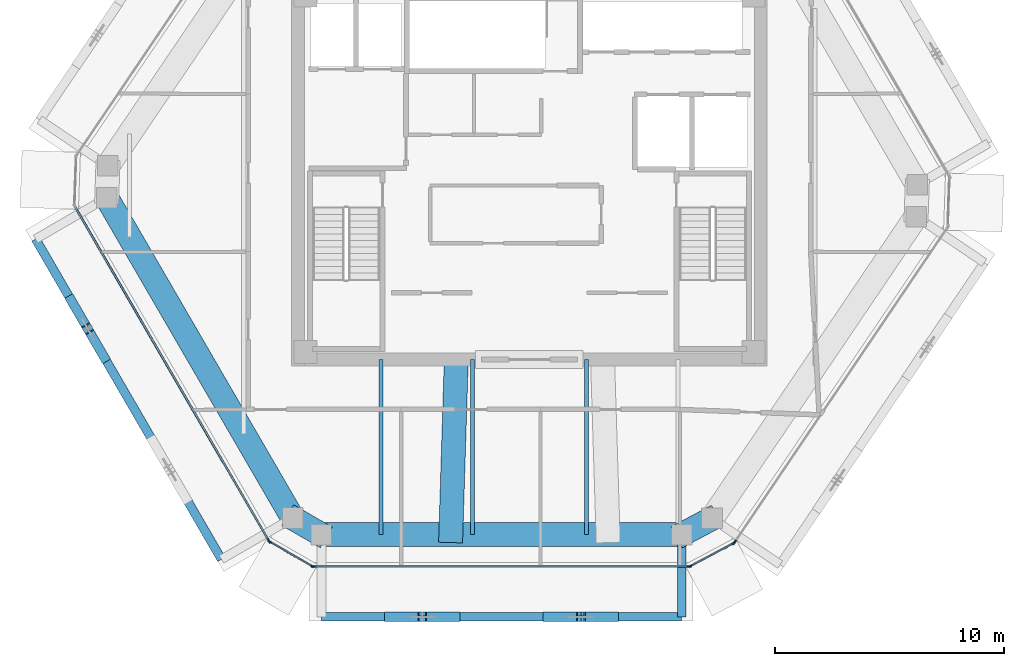
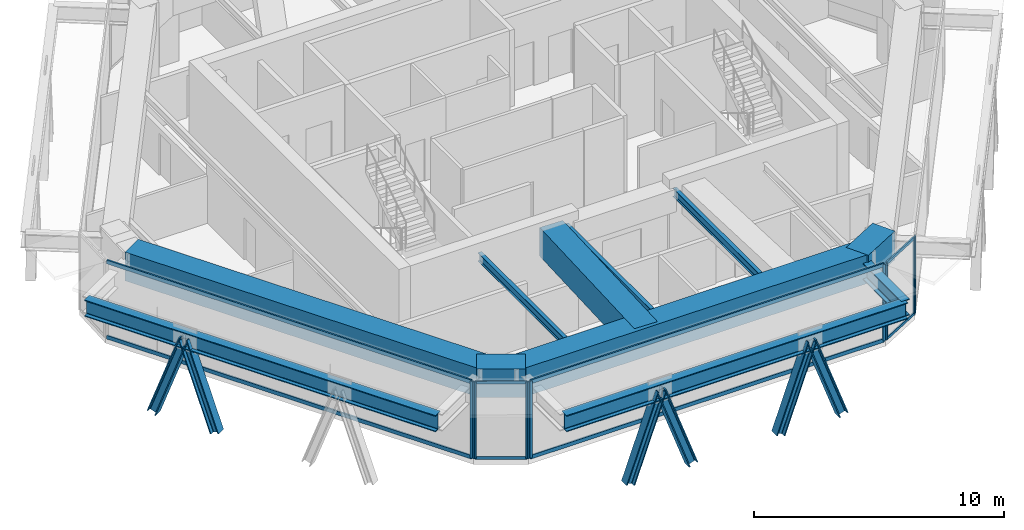
# One storey, part 2 of 13: 22 members, 11 beams, 5 elements without a shape of their own.
"""IFC4 building model written with IfcOpenShell, lengths in metres."""

from ifc_helpers import new_model, si_unit, direction, frame, origin, origin_2d, place, context, subcontext, project, spatial, rectangle, i_section, extrude, source, transform, mapped, material, layer, layer_set, material_profile, profile_set, type_object, type_shapes, element, aggregate, save


model = new_model("IFC4")

# Units and contexts
model_context = context("Model", 3, precision=1e-05, world=origin(), true_north=direction((0.0, 1.0)))
body_context = subcontext(model_context, "Body", "Model", "MODEL_VIEW")
ifc_project = project(units=[si_unit("LENGTHUNIT", "METRE"), si_unit("AREAUNIT", "SQUARE_METRE"), si_unit("VOLUMEUNIT", "CUBIC_METRE"), si_unit("PLANEANGLEUNIT", "RADIAN"), si_unit("MASSUNIT", "GRAM", prefix="KILO")], contexts=[model_context])

# Site, building, storey
site_placement = place(None, origin())
site = spatial("IfcSite", under=ifc_project, at=site_placement, CompositionType="ELEMENT")
building_placement = place(site_placement, origin())
building = spatial("IfcBuilding", under=site, at=building_placement, Name="Durnholm Broadcast Tower", CompositionType="ELEMENT")
storey_placement = place(building_placement, frame((0.0, 0.0, 268.300048828125)))
storey = spatial("IfcBuildingStorey", under=building, at=storey_placement, Name="L75", CompositionType="ELEMENT", Elevation=268.300048828125)

# Beams
ifc_material_1 = material(Name="Steel ASTM A992 Grade 50", Category="steel")
ifc_material_profile_1 = material_profile(ifc_material_1, i_section(OverallWidth=0.385009765625, OverallDepth=0.802978515625, WebThickness=0.023681640625, FlangeThickness=0.0419921875, FilletRadius=0.032958984375, at=origin_2d()), Name="W30X261")
ifc_profile_set_1 = profile_set([ifc_material_profile_1], Name="Steel ASTM A992 Grade 50")
beam_type_1 = type_object("IfcBeamType", Name="BM-EXO-TIE", PredefinedType="USERDEFINED", material=ifc_profile_set_1)
shared_shape_1 = source(origin(), body_context, "Body", "SweptSolid", [
    extrude(i_section(OverallWidth=0.385009765625, OverallDepth=0.802978515625, WebThickness=0.023681640625, FlangeThickness=0.0419921875, FilletRadius=0.032958984375, at=origin_2d()), origin(), (0.0, 0.0, 1.0), 3.4560546875),
])
beam_1_placement = place(storey_placement, frame((6.663818359375, -15.929931640625, 2.99853515625), z_axis=(0.0, -1.0, 0.0), x_axis=(1.0, 0.0, 0.0)))
element("IfcBeam", 1, at=beam_1_placement, inside=storey, type_object=beam_type_1, Name="L75 exoskeleton stand-off tie bracket F1.2", ObjectType="GIRDER", PredefinedType="USERDEFINED", context=body_context, shape_type="MappedRepresentation", body=[
    mapped(shared_shape_1, transform((0.0, 0.0, 0.0), x_axis=(1.0, 0.0, 0.0), y_axis=(0.0, 1.0, 0.0), z_axis=(0.0, 0.0, 1.0), scale=1.0)),
])
shared_shape_2 = source(origin(), body_context, "Body", "SweptSolid", [
    extrude(i_section(OverallWidth=0.385009765625, OverallDepth=0.802978515625, WebThickness=0.023681640625, FlangeThickness=0.0419921875, FilletRadius=0.032958984375, at=origin_2d()), origin(), (0.0, 0.0, 1.0), 15.767578125),
])
beam_2_placement = place(storey_placement, frame((-9.103759765625, -19.385986328125, 2.99853515625), z_axis=(1.0, 0.0, 0.0), x_axis=(0.0, 1.0, 0.0)))
element("IfcBeam", 2, at=beam_2_placement, inside=storey, type_object=beam_type_1, Name="L75 exoskeleton collector spandrel F1", PredefinedType="SPANDREL", context=body_context, shape_type="MappedRepresentation", body=[
    mapped(shared_shape_2, transform((0.0, 0.0, 0.0), x_axis=(1.0, 0.0, 0.0), y_axis=(0.0, 1.0, 0.0), z_axis=(0.0, 0.0, 1.0), scale=1.0)),
])
shared_shape_3 = source(origin(), body_context, "Body", "SweptSolid", [
    extrude(i_section(OverallWidth=0.385009765625, OverallDepth=0.802978515625, WebThickness=0.023681640625, FlangeThickness=0.0419921875, FilletRadius=0.032958984375, at=origin_2d()), origin(), (0.0, 0.0, 1.0), 16.20263671875),
])
type_shapes(beam_type_1, [shared_shape_1, shared_shape_2, shared_shape_3])
beam_3_placement = place(storey_placement, frame((-21.60791015625, -2.85498046875, 2.99853515625), z_axis=(0.501943573333, -0.864900369516, 0.0), x_axis=(0.864900369516, 0.501943573333, 0.0)))
element("IfcBeam", 3, at=beam_3_placement, inside=storey, type_object=beam_type_1, Name="L75 exoskeleton collector spandrel F6", PredefinedType="SPANDREL", context=body_context, shape_type="MappedRepresentation", body=[
    mapped(shared_shape_3, transform((0.0, 0.0, 0.0), x_axis=(1.0, 0.0, 0.0), y_axis=(0.0, 1.0, 0.0), z_axis=(0.0, 0.0, 1.0), scale=1.0)),
])
ifc_material_profile_2 = material_profile(ifc_material_1, i_section(OverallWidth=0.177734375, OverallDepth=0.40673828125, WebThickness=0.0078125, FlangeThickness=0.0126953125, FilletRadius=0.01904296875, at=origin_2d()), Name="W16X40")
ifc_profile_set_2 = profile_set([ifc_material_profile_2], Name="Steel ASTM A992 Grade 50")
beam_type_2 = type_object("IfcBeamType", Name="STL-BJ-W16X40", PredefinedType="JOIST", material=ifc_profile_set_2)
shared_shape_4 = source(origin(), body_context, "Body", "SweptSolid", [
    extrude(i_section(OverallWidth=0.177734375, OverallDepth=0.40673828125, WebThickness=0.0078125, FlangeThickness=0.0126953125, FilletRadius=0.01904296875, at=origin_2d()), origin(), (0.0, 0.0, 1.0), 7.660888671875),
])
type_shapes(beam_type_2, [shared_shape_4])
for number, where, z_axis, x_axis, name in (
    (4, (-6.5, -15.785888671875, 3.32666015625), (0.0, 1.0, 0.0), (-1.0, 0.0, 0.0), "L75 secondary floor joist 4.1"),
    (5, (-2.5, -15.785888671875, 3.32666015625), (0.0, 1.0, 0.0), (-1.0, 0.0, 0.0), "L75 secondary floor joist 5.1"),
    (6, (2.5, -15.785888671875, 3.32666015625), (0.0, 1.0, 0.0), (-1.0, 0.0, 0.0), "L75 secondary floor joist 6.1"),
):
    element("IfcBeam", number, at=place(storey_placement, frame(where, z_axis=z_axis, x_axis=x_axis)), inside=storey, type_object=beam_type_2, Name=name, PredefinedType="JOIST", context=body_context, shape_type="MappedRepresentation", body=[
        mapped(shared_shape_4, transform((0.0, 0.0, 0.0), x_axis=(1.0, 0.0, 0.0), y_axis=(0.0, 1.0, 0.0), z_axis=(0.0, 0.0, 1.0), scale=1.0)),
    ])
ifc_material_2 = material(Name="Concrete C70/85", Category="concrete")
ifc_material_profile_3 = material_profile(ifc_material_2, rectangle(XDim=1.050048828125, YDim=1.39990234375, at=origin_2d()), Name="RC1050X1400")
ifc_profile_set_3 = profile_set([ifc_material_profile_3], Name="Concrete C70/85")
beam_type_3 = type_object("IfcBeamType", Name="BM-TG-RC1400", PredefinedType="USERDEFINED", material=ifc_profile_set_3)
shared_shape_5 = source(origin(), body_context, "Body", "SweptSolid", [
    extrude(rectangle(XDim=1.050048828125, YDim=1.39990234375, at=origin_2d()), origin(), (0.0, 0.0, 1.0), 16.202880859375),
])
beam_4_placement = place(storey_placement, frame((-10.361328125, -15.061767578125, 3.050048828125), z_axis=(-0.501948303381, 0.864897624423, 0.0), x_axis=(-0.864897624423, -0.501948303381, 0.0)))
element("IfcBeam", 7, at=beam_4_placement, inside=storey, type_object=beam_type_3, Name="L75 perimeter transfer spandrel girder 01", PredefinedType="SPANDREL", context=body_context, shape_type="MappedRepresentation", body=[
    mapped(shared_shape_5, transform((0.0, 0.0, 0.0), x_axis=(1.0, 0.0, 0.0), y_axis=(0.0, 1.0, 0.0), z_axis=(0.0, 0.0, 1.0), scale=1.0)),
])
shared_shape_6 = source(origin(), body_context, "Body", "SweptSolid", [
    extrude(rectangle(XDim=1.050048828125, YDim=1.39990234375, at=origin_2d()), origin(), (0.0, 0.0, 1.0), 2.002685546875),
])
beam_5_placement = place(storey_placement, frame((8.211669921875, -14.964111328125, 3.050048828125), z_axis=(-0.883211981861, -0.468973981259, 0.0), x_axis=(0.468973981259, -0.883211981861, 0.0)))
element("IfcBeam", 8, at=beam_5_placement, inside=storey, type_object=beam_type_3, Name="L75 perimeter transfer spandrel girder 10", PredefinedType="SPANDREL", context=body_context, shape_type="MappedRepresentation", body=[
    mapped(shared_shape_6, transform((0.0, 0.0, 0.0), x_axis=(1.0, 0.0, 0.0), y_axis=(0.0, 1.0, 0.0), z_axis=(0.0, 0.0, 1.0), scale=1.0)),
])
shared_shape_7 = source(origin(), body_context, "Body", "SweptSolid", [
    extrude(rectangle(XDim=1.050048828125, YDim=1.39990234375, at=origin_2d()), origin(), (0.0, 0.0, 1.0), 15.767578125),
])
beam_6_placement = place(storey_placement, frame((6.663818359375, -15.785888671875, 3.050048828125), z_axis=(-1.0, 0.0, 0.0), x_axis=(0.0, -1.0, 0.0)))
element("IfcBeam", 9, at=beam_6_placement, inside=storey, type_object=beam_type_3, Name="L75 perimeter transfer spandrel girder 11", PredefinedType="SPANDREL", context=body_context, shape_type="MappedRepresentation", body=[
    mapped(shared_shape_7, transform((0.0, 0.0, 0.0), x_axis=(1.0, 0.0, 0.0), y_axis=(0.0, 1.0, 0.0), z_axis=(0.0, 0.0, 1.0), scale=1.0)),
])
shared_shape_8 = source(origin(), body_context, "Body", "SweptSolid", [
    extrude(rectangle(XDim=1.050048828125, YDim=1.39990234375, at=origin_2d()), origin(), (0.0, 0.0, 1.0), 1.951171875),
])
beam_7_placement = place(storey_placement, frame((-8.88720703125, -15.910888671875, 3.050048828125), z_axis=(-0.866520782074, 0.499140996346, 0.0), x_axis=(-0.499140996346, -0.866520782074, 0.0)))
element("IfcBeam", 10, at=beam_7_placement, inside=storey, type_object=beam_type_3, Name="L75 perimeter transfer spandrel girder 12", PredefinedType="SPANDREL", context=body_context, shape_type="MappedRepresentation", body=[
    mapped(shared_shape_8, transform((0.0, 0.0, 0.0), x_axis=(1.0, 0.0, 0.0), y_axis=(0.0, 1.0, 0.0), z_axis=(0.0, 0.0, 1.0), scale=1.0)),
])
shared_shape_9 = source(origin(), body_context, "Body", "SweptSolid", [
    extrude(rectangle(XDim=1.050048828125, YDim=1.39990234375, at=origin_2d()), origin(), (0.0, 0.0, 1.0), 8.014892578125),
])
type_shapes(beam_type_3, [shared_shape_5, shared_shape_6, shared_shape_7, shared_shape_8, shared_shape_9])
beam_8_placement = place(storey_placement, frame((-3.199951171875, -8.125, 3.050048828125), z_axis=(-0.031191958504, -0.999513412479, 0.0), x_axis=(0.999513412479, -0.031191958504, 0.0)))
element("IfcBeam", 11, at=beam_8_placement, inside=storey, type_object=beam_type_3, Name="L75 radial setback transfer girder 13", ObjectType="GIRDER", PredefinedType="USERDEFINED", context=body_context, shape_type="MappedRepresentation", body=[
    mapped(shared_shape_9, transform((0.0, 0.0, 0.0), x_axis=(1.0, 0.0, 0.0), y_axis=(0.0, 1.0, 0.0), z_axis=(0.0, 0.0, 1.0), scale=1.0)),
])

# Members
ifc_material_3 = material(Name="Steel ASTM A913 Grade 65", Category="steel")
ifc_material_profile_4 = material_profile(ifc_material_3, i_section(OverallWidth=0.40625, OverallDepth=0.416015625, WebThickness=0.02978515625, FlangeThickness=0.048095703125, FilletRadius=0.030517578125, at=origin_2d()), Name="W14X257")
ifc_profile_set_4 = profile_set([ifc_material_profile_4], Name="Steel ASTM A913 Grade 65")
member_type_1 = type_object("IfcMemberType", Name="STL-DG-W14X257", PredefinedType="BRACE", material=ifc_profile_set_4)
shared_shape_10 = source(origin(), body_context, "Body", "SweptSolid", [
    extrude(i_section(OverallWidth=0.40625, OverallDepth=0.416015625, WebThickness=0.02978515625, FlangeThickness=0.048095703125, FilletRadius=0.030517578125, at=origin_2d()), origin(), (0.0, 0.0, 1.0), 4.3046875),
])
for number, where, z_axis, x_axis, name in (
    (12, (-6.14697265625, -19.385986328125, -1.051513671875), (0.338767668822, 0.0, 0.940870058276), (0.0, 1.0, 0.0), "L75 stand-off diagrid brace F1.D1.1"),
    (13, (0.79052734375, -19.385986328125, -1.051513671875), (0.338767668822, 0.0, 0.940870058276), (0.0, 1.0, 0.0), "L75 stand-off diagrid brace F1.D2.1"),
    (14, (3.70703125, -19.385986328125, -1.051513671875), (-0.338767668822, 0.0, 0.940870058276), (0.0, -1.0, 0.0), "L75 stand-off diagrid brace F1.D2.2"),
    (15, (-18.5986328125, -8.0400390625, -1.051513671875), (-0.170091469891, 0.292995176211, 0.940862752258), (-0.864833498681, -0.50205878098, 0.0), "L75 stand-off diagrid brace F6.D1.2"),
):
    element("IfcMember", number, at=place(storey_placement, frame(where, z_axis=z_axis, x_axis=x_axis)), inside=storey, type_object=member_type_1, Name=name, PredefinedType="BRACE", context=body_context, shape_type="MappedRepresentation", body=[
        mapped(shared_shape_10, transform((0.0, 0.0, 0.0), x_axis=(1.0, 0.0, 0.0), y_axis=(0.0, 1.0, 0.0), z_axis=(0.0, 0.0, 1.0), scale=1.0)),
    ])
shared_shape_11 = source(origin(), body_context, "Body", "SweptSolid", [
    extrude(i_section(OverallWidth=0.40625, OverallDepth=0.416015625, WebThickness=0.02978515625, FlangeThickness=0.048095703125, FilletRadius=0.030517578125, at=origin_2d()), origin(), (0.0, 0.0, 1.0), 4.304443359375),
])
type_shapes(member_type_1, [shared_shape_10, shared_shape_11])
for number, where, z_axis, x_axis, name in (
    (16, (-3.230712890625, -19.385986328125, -1.051513671875), (-0.338717459859, 0.0, 0.940888134895), (0.0, -1.0, 0.0), "L75 stand-off diagrid brace F1.D1.2"),
    (17, (-20.0625, -5.517578125, -1.051513671875), (0.169981316297, -0.293000827491, 0.940880899583), (0.864978863669, 0.501808295473, 0.0), "L75 stand-off diagrid brace F6.D1.1"),
):
    element("IfcMember", number, at=place(storey_placement, frame(where, z_axis=z_axis, x_axis=x_axis)), inside=storey, type_object=member_type_1, Name=name, PredefinedType="BRACE", context=body_context, shape_type="MappedRepresentation", body=[
        mapped(shared_shape_11, transform((0.0, 0.0, 0.0), x_axis=(1.0, 0.0, 0.0), y_axis=(0.0, 1.0, 0.0), z_axis=(0.0, 0.0, 1.0), scale=1.0)),
    ])

# Curtain wall, members
ifc_material_4 = material(Name="Aluminium and Solar Control IGU", Category="aluminium")
ifc_layer_1 = layer(ifc_material_4, 0.1650390625)
ifc_layer_set_1 = layer_set([ifc_layer_1], Name="Aluminium and Solar Control IGU")
curtain_wall_type_1 = type_object("IfcCurtainWallType", Name="CW-SYS-5", PredefinedType="NOTDEFINED", material=ifc_layer_set_1)
curtain_wall_1_placement = place(storey_placement, origin())
curtain_wall_1 = element("IfcCurtainWall", 18, at=curtain_wall_1_placement, inside=storey, type_object=curtain_wall_type_1, Name="L75 curtain wall CW-CORNER CW-L75-CRN-09", PredefinedType="NOTDEFINED")
ifc_material_5 = material(Name="Aluminium 6063-T6", Category="aluminium")
ifc_material_profile_5 = material_profile(ifc_material_5, rectangle(XDim=0.06494140625, YDim=0.1298828125, at=origin_2d()), Name="CWT65X130")
ifc_profile_set_5 = profile_set([ifc_material_profile_5], Name="Aluminium 6063-T6")
member_type_2 = type_object("IfcMemberType", Name="CW-SYS-5-TRN", PredefinedType="USERDEFINED", material=ifc_profile_set_5)
shared_shape_12 = source(origin(), body_context, "Body", "SweptSolid", [
    extrude(rectangle(XDim=0.06494140625, YDim=0.1298828125, at=origin_2d()), origin(), (0.0, 0.0, 1.0), 2.070068359375),
])
member_1_placement = place(storey_placement, frame((8.89794921875, -16.1845703125, 0.032470703125), z_axis=(-0.883164581026, -0.469063239682, 0.0), x_axis=(0.469063239682, -0.883164581026, 0.0)))
member_1 = element("IfcMember", 19, at=member_1_placement, type_object=member_type_2, Name="CW-CORNER transom 1.1", ObjectType="TRANSOM", PredefinedType="USERDEFINED", context=body_context, shape_type="MappedRepresentation", body=[
    mapped(shared_shape_12, transform((0.0, 0.0, 0.0), x_axis=(1.0, 0.0, 0.0), y_axis=(0.0, 1.0, 0.0), z_axis=(0.0, 0.0, 1.0), scale=1.0)),
])
member_2_placement = place(storey_placement, frame((8.89794921875, -16.1845703125, 3.717529296875), z_axis=(-0.883164581026, -0.469063239682, 0.0), x_axis=(0.469063239682, -0.883164581026, 0.0)))
member_2 = element("IfcMember", 20, at=member_2_placement, type_object=member_type_2, Name="CW-CORNER transom 1.2", ObjectType="TRANSOM", PredefinedType="USERDEFINED", context=body_context, shape_type="MappedRepresentation", body=[
    mapped(shared_shape_12, transform((0.0, 0.0, 0.0), x_axis=(1.0, 0.0, 0.0), y_axis=(0.0, 1.0, 0.0), z_axis=(0.0, 0.0, 1.0), scale=1.0)),
])

curtain_wall_2_placement = place(storey_placement, origin())
curtain_wall_2 = element("IfcCurtainWall", 21, at=curtain_wall_2_placement, inside=storey, type_object=curtain_wall_type_1, Name="L75 curtain wall CW-CORNER CW-L75-CRN-11", PredefinedType="NOTDEFINED")
shared_shape_13 = source(origin(), body_context, "Body", "SweptSolid", [
    extrude(rectangle(XDim=0.06494140625, YDim=0.1298828125, at=origin_2d()), origin(), (0.0, 0.0, 1.0), 2.06982421875),
])
type_shapes(member_type_2, [shared_shape_12, shared_shape_13])
member_3_placement = place(storey_placement, frame((-9.534423828125, -17.153564453125, 0.032470703125), z_axis=(-0.866576086718, 0.499044973854, 0.0), x_axis=(-0.499044973854, -0.866576086718, 0.0)))
member_3 = element("IfcMember", 22, at=member_3_placement, type_object=member_type_2, Name="CW-CORNER transom 1.1", ObjectType="TRANSOM", PredefinedType="USERDEFINED", context=body_context, shape_type="MappedRepresentation", body=[
    mapped(shared_shape_13, transform((0.0, 0.0, 0.0), x_axis=(1.0, 0.0, 0.0), y_axis=(0.0, 1.0, 0.0), z_axis=(0.0, 0.0, 1.0), scale=1.0)),
])
member_4_placement = place(storey_placement, frame((-9.534423828125, -17.153564453125, 3.717529296875), z_axis=(-0.866576086718, 0.499044973854, 0.0), x_axis=(-0.499044973854, -0.866576086718, 0.0)))
member_4 = element("IfcMember", 23, at=member_4_placement, type_object=member_type_2, Name="CW-CORNER transom 1.2", ObjectType="TRANSOM", PredefinedType="USERDEFINED", context=body_context, shape_type="MappedRepresentation", body=[
    mapped(shared_shape_13, transform((0.0, 0.0, 0.0), x_axis=(1.0, 0.0, 0.0), y_axis=(0.0, 1.0, 0.0), z_axis=(0.0, 0.0, 1.0), scale=1.0)),
])

# Member
ifc_material_profile_6 = material_profile(ifc_material_5, rectangle(XDim=0.06494140625, YDim=0.1650390625, at=origin_2d()), Name="CWM65X165")
ifc_profile_set_6 = profile_set([ifc_material_profile_6], Name="Aluminium 6063-T6")
member_type_3 = type_object("IfcMemberType", Name="CW-SYS-5-MUL", PredefinedType="MULLION", material=ifc_profile_set_6)
shared_shape_14 = source(origin(), body_context, "Body", "SweptSolid", [
    extrude(rectangle(XDim=0.06494140625, YDim=0.1650390625, at=origin_2d()), origin(), (0.0, 0.0, 1.0), 3.75),
])
type_shapes(member_type_3, [shared_shape_14])
member_5_placement = place(storey_placement, frame((8.9267578125, -16.16943359375, 0.0), z_axis=(0.0, 0.0, 1.0), x_axis=(0.469006771575, -0.883194569853, 0.0)))
member_5 = element("IfcMember", 24, at=member_5_placement, type_object=member_type_3, Name="CW-CORNER mullion 1", PredefinedType="MULLION", context=body_context, shape_type="MappedRepresentation", body=[
    mapped(shared_shape_14, transform((0.0, 0.0, 0.0), x_axis=(1.0, 0.0, 0.0), y_axis=(0.0, 1.0, 0.0), z_axis=(0.0, 0.0, 1.0), scale=1.0)),
])

member_6_placement = place(storey_placement, frame((7.041015625, -17.170654296875, 0.0), z_axis=(0.0, 0.0, 1.0), x_axis=(0.469006771575, -0.883194569853, 0.0)))
member_6 = element("IfcMember", 25, at=member_6_placement, type_object=member_type_3, Name="CW-CORNER mullion 2", PredefinedType="MULLION", context=body_context, shape_type="MappedRepresentation", body=[
    mapped(shared_shape_14, transform((0.0, 0.0, 0.0), x_axis=(1.0, 0.0, 0.0), y_axis=(0.0, 1.0, 0.0), z_axis=(0.0, 0.0, 1.0), scale=1.0)),
])

aggregate(curtain_wall_1, [member_5, member_6, member_1, member_2])

member_7_placement = place(storey_placement, frame((-9.506103515625, -17.169677734375, 0.0), z_axis=(0.0, 0.0, 1.0), x_axis=(-0.499058582333, -0.866568249707, 0.0)))
member_7 = element("IfcMember", 26, at=member_7_placement, type_object=member_type_3, Name="CW-CORNER mullion 1", PredefinedType="MULLION", context=body_context, shape_type="MappedRepresentation", body=[
    mapped(shared_shape_14, transform((0.0, 0.0, 0.0), x_axis=(1.0, 0.0, 0.0), y_axis=(0.0, 1.0, 0.0), z_axis=(0.0, 0.0, 1.0), scale=1.0)),
])

member_8_placement = place(storey_placement, frame((-11.356201171875, -16.104248046875, 0.0), z_axis=(0.0, 0.0, 1.0), x_axis=(-0.499058582333, -0.866568249707, 0.0)))
member_8 = element("IfcMember", 27, at=member_8_placement, type_object=member_type_3, Name="CW-CORNER mullion 2", PredefinedType="MULLION", context=body_context, shape_type="MappedRepresentation", body=[
    mapped(shared_shape_14, transform((0.0, 0.0, 0.0), x_axis=(1.0, 0.0, 0.0), y_axis=(0.0, 1.0, 0.0), z_axis=(0.0, 0.0, 1.0), scale=1.0)),
])

aggregate(curtain_wall_2, [member_7, member_8, member_3, member_4])

# Curtain wall, member
ifc_layer_2 = layer(ifc_material_4, 0.219970703125)
ifc_layer_set_2 = layer_set([ifc_layer_2], Name="Aluminium and Solar Control IGU")
curtain_wall_type_2 = type_object("IfcCurtainWallType", Name="CW-SYS-6", PredefinedType="NOTDEFINED", material=ifc_layer_set_2)
curtain_wall_3_placement = place(storey_placement, origin())
curtain_wall_3 = element("IfcCurtainWall", 28, at=curtain_wall_3_placement, inside=storey, type_object=curtain_wall_type_2, Name="L75 curtain wall CW-AMENITY CW-L75-F08", PredefinedType="NOTDEFINED")
ifc_material_profile_7 = material_profile(ifc_material_5, rectangle(XDim=0.074951171875, YDim=0.219970703125, at=origin_2d()), Name="CWM75X220")
ifc_profile_set_7 = profile_set([ifc_material_profile_7], Name="Aluminium 6063-T6")
member_type_4 = type_object("IfcMemberType", Name="CW-SYS-6-MUL", PredefinedType="MULLION", material=ifc_profile_set_7)
shared_shape_15 = source(origin(), body_context, "Body", "SweptSolid", [
    extrude(rectangle(XDim=0.074951171875, YDim=0.219970703125, at=origin_2d()), origin(), (0.0, 0.0, 1.0), 3.75),
])
type_shapes(member_type_4, [shared_shape_15])
member_9_placement = place(storey_placement, frame((8.976318359375, -16.123046875, 0.0), z_axis=(0.0, 0.0, 1.0), x_axis=(0.828443431662, -0.560072745753, 0.0)))
member_9 = element("IfcMember", 29, at=member_9_placement, type_object=member_type_4, Name="CW-AMENITY mullion 2", PredefinedType="MULLION", context=body_context, shape_type="MappedRepresentation", body=[
    mapped(shared_shape_15, transform((0.0, 0.0, 0.0), x_axis=(1.0, 0.0, 0.0), y_axis=(0.0, 1.0, 0.0), z_axis=(0.0, 0.0, 1.0), scale=1.0)),
])
aggregate(curtain_wall_3, [member_9])

# Curtain wall, members
curtain_wall_4_placement = place(storey_placement, origin())
curtain_wall_4 = element("IfcCurtainWall", 30, at=curtain_wall_4_placement, inside=storey, type_object=curtain_wall_type_2, Name="L75 curtain wall CW-AMENITY CW-L75-F10", PredefinedType="NOTDEFINED")
member_10_placement = place(storey_placement, frame((6.974853515625, -17.18603515625, 0.0), z_axis=(0.0, 0.0, 1.0), x_axis=(0.0, -1.0, 0.0)))
member_10 = element("IfcMember", 31, at=member_10_placement, type_object=member_type_4, Name="CW-AMENITY mullion 1", PredefinedType="MULLION", context=body_context, shape_type="MappedRepresentation", body=[
    mapped(shared_shape_15, transform((0.0, 0.0, 0.0), x_axis=(1.0, 0.0, 0.0), y_axis=(0.0, 1.0, 0.0), z_axis=(0.0, 0.0, 1.0), scale=1.0)),
])
member_11_placement = place(storey_placement, frame((-9.4404296875, -17.18603515625, 0.0), z_axis=(0.0, 0.0, 1.0), x_axis=(0.0, -1.0, 0.0)))
member_11 = element("IfcMember", 32, at=member_11_placement, type_object=member_type_4, Name="CW-AMENITY mullion 2", PredefinedType="MULLION", context=body_context, shape_type="MappedRepresentation", body=[
    mapped(shared_shape_15, transform((0.0, 0.0, 0.0), x_axis=(1.0, 0.0, 0.0), y_axis=(0.0, 1.0, 0.0), z_axis=(0.0, 0.0, 1.0), scale=1.0)),
])

# Curtain wall, member
curtain_wall_5_placement = place(storey_placement, origin())
curtain_wall_5 = element("IfcCurtainWall", 33, at=curtain_wall_5_placement, inside=storey, type_object=curtain_wall_type_2, Name="L75 curtain wall CW-AMENITY CW-L75-F12", PredefinedType="NOTDEFINED")
member_12_placement = place(storey_placement, frame((-11.4033203125, -16.0556640625, 0.0), z_axis=(0.0, 0.0, 1.0), x_axis=(-0.864899883824, -0.50194441023, 0.0)))
member_12 = element("IfcMember", 34, at=member_12_placement, type_object=member_type_4, Name="CW-AMENITY mullion 1", PredefinedType="MULLION", context=body_context, shape_type="MappedRepresentation", body=[
    mapped(shared_shape_15, transform((0.0, 0.0, 0.0), x_axis=(1.0, 0.0, 0.0), y_axis=(0.0, 1.0, 0.0), z_axis=(0.0, 0.0, 1.0), scale=1.0)),
])

# Member
ifc_material_profile_8 = material_profile(ifc_material_5, rectangle(XDim=0.074951171875, YDim=0.179931640625, at=origin_2d()), Name="CWT75X180")
ifc_profile_set_8 = profile_set([ifc_material_profile_8], Name="Aluminium 6063-T6")
member_type_5 = type_object("IfcMemberType", Name="CW-SYS-6-TRN", PredefinedType="USERDEFINED", material=ifc_profile_set_8)
shared_shape_16 = source(origin(), body_context, "Body", "SweptSolid", [
    extrude(rectangle(XDim=0.074951171875, YDim=0.179931640625, at=origin_2d()), origin(), (0.0, 0.0, 1.0), 16.340576171875),
])
member_13_placement = place(storey_placement, frame((6.9375, -17.18603515625, 0.037353515625), z_axis=(-1.0, 0.0, 0.0), x_axis=(0.0, -1.0, 0.0)))
member_13 = element("IfcMember", 35, at=member_13_placement, type_object=member_type_5, Name="CW-AMENITY transom 1.1", ObjectType="TRANSOM", PredefinedType="USERDEFINED", context=body_context, shape_type="MappedRepresentation", body=[
    mapped(shared_shape_16, transform((0.0, 0.0, 0.0), x_axis=(1.0, 0.0, 0.0), y_axis=(0.0, 1.0, 0.0), z_axis=(0.0, 0.0, 1.0), scale=1.0)),
])

member_14_placement = place(storey_placement, frame((6.9375, -17.18603515625, 3.71240234375), z_axis=(-1.0, 0.0, 0.0), x_axis=(0.0, -1.0, 0.0)))
member_14 = element("IfcMember", 36, at=member_14_placement, type_object=member_type_5, Name="CW-AMENITY transom 1.2", ObjectType="TRANSOM", PredefinedType="USERDEFINED", context=body_context, shape_type="MappedRepresentation", body=[
    mapped(shared_shape_16, transform((0.0, 0.0, 0.0), x_axis=(1.0, 0.0, 0.0), y_axis=(0.0, 1.0, 0.0), z_axis=(0.0, 0.0, 1.0), scale=1.0)),
])

aggregate(curtain_wall_4, [member_10, member_11, member_13, member_14])

shared_shape_17 = source(origin(), body_context, "Body", "SweptSolid", [
    extrude(rectangle(XDim=0.074951171875, YDim=0.179931640625, at=origin_2d()), origin(), (0.0, 0.0, 1.0), 16.82958984375),
])
type_shapes(member_type_5, [shared_shape_16, shared_shape_17])
member_15_placement = place(storey_placement, frame((-11.422119140625, -16.023193359375, 0.037353515625), z_axis=(-0.501944073949, 0.864900078984, 0.0), x_axis=(-0.864900078984, -0.501944073949, 0.0)))
member_15 = element("IfcMember", 37, at=member_15_placement, type_object=member_type_5, Name="CW-AMENITY transom 1.1", ObjectType="TRANSOM", PredefinedType="USERDEFINED", context=body_context, shape_type="MappedRepresentation", body=[
    mapped(shared_shape_17, transform((0.0, 0.0, 0.0), x_axis=(1.0, 0.0, 0.0), y_axis=(0.0, 1.0, 0.0), z_axis=(0.0, 0.0, 1.0), scale=1.0)),
])

member_16_placement = place(storey_placement, frame((-11.422119140625, -16.023193359375, 3.71240234375), z_axis=(-0.501944073949, 0.864900078984, 0.0), x_axis=(-0.864900078984, -0.501944073949, 0.0)))
member_16 = element("IfcMember", 38, at=member_16_placement, type_object=member_type_5, Name="CW-AMENITY transom 1.2", ObjectType="TRANSOM", PredefinedType="USERDEFINED", context=body_context, shape_type="MappedRepresentation", body=[
    mapped(shared_shape_17, transform((0.0, 0.0, 0.0), x_axis=(1.0, 0.0, 0.0), y_axis=(0.0, 1.0, 0.0), z_axis=(0.0, 0.0, 1.0), scale=1.0)),
])

aggregate(curtain_wall_5, [member_12, member_15, member_16])

save(model, "model.ifc")
